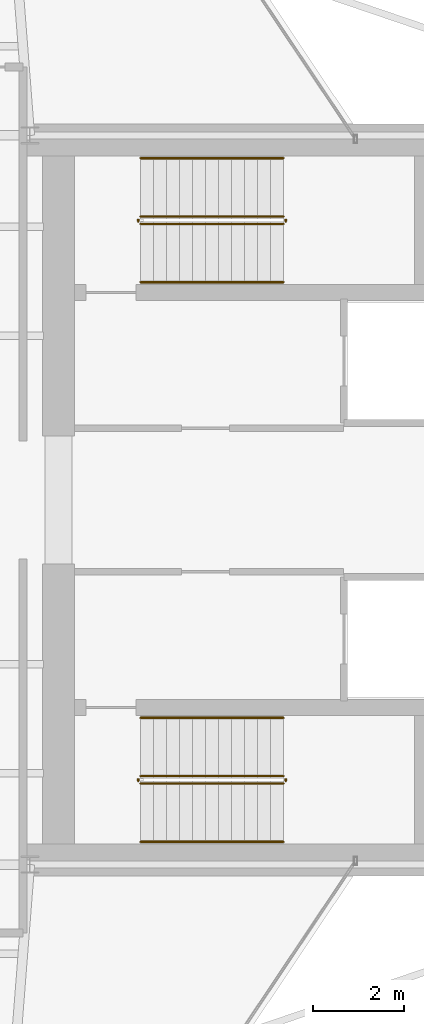
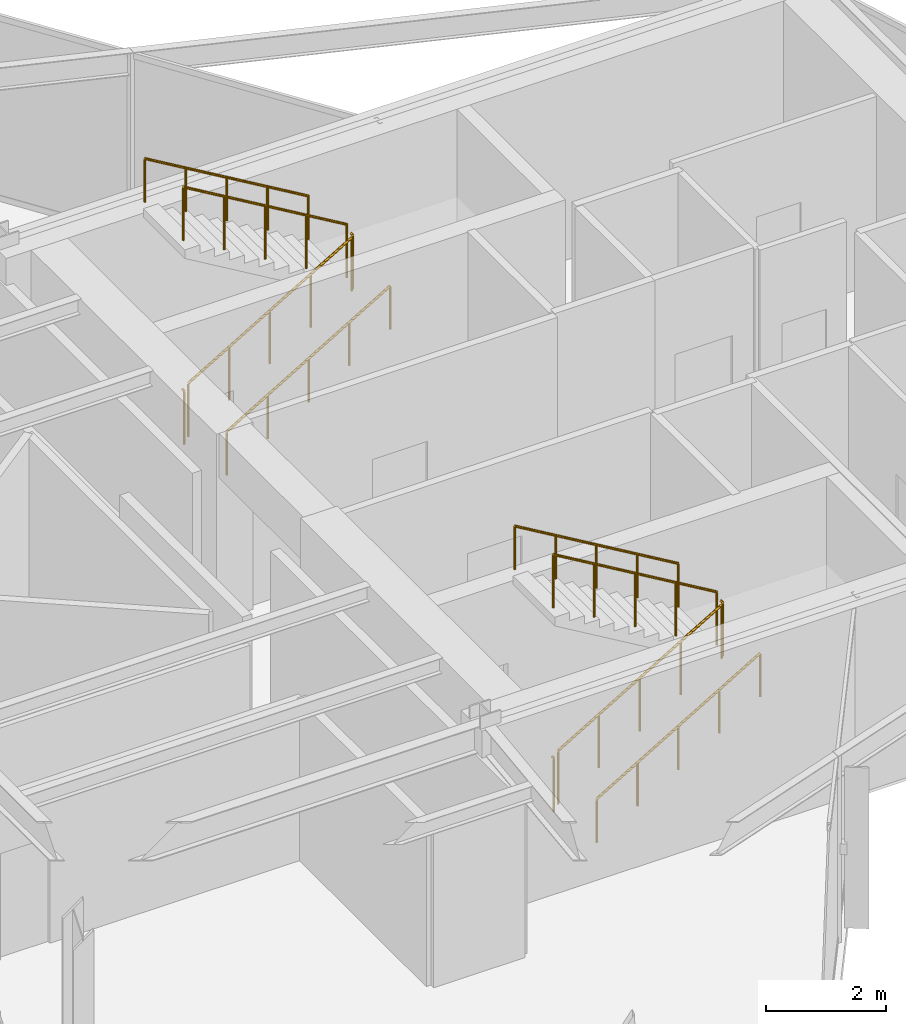
# One storey, part 21 of 21: 12 railings.
"""IFC4 building model written with IfcOpenShell, lengths in metres."""

from ifc_helpers import new_model, si_unit, direction, frame, origin, origin_2d, place, context, subcontext, project, spatial, circle, extrude, material, type_object, element, save


model = new_model("IFC4")

# Units and contexts
model_context = context("Model", 3, precision=1e-05, world=origin(), true_north=direction((0.0, 1.0)))
body_context = subcontext(model_context, "Body", "Model", "MODEL_VIEW")
ifc_project = project(units=[si_unit("LENGTHUNIT", "METRE"), si_unit("AREAUNIT", "SQUARE_METRE"), si_unit("VOLUMEUNIT", "CUBIC_METRE"), si_unit("PLANEANGLEUNIT", "RADIAN"), si_unit("MASSUNIT", "GRAM", prefix="KILO")], contexts=[model_context])

# Site, building, storey
site_placement = place(None, origin())
site = spatial("IfcSite", under=ifc_project, at=site_placement, CompositionType="ELEMENT")
building_placement = place(site_placement, origin())
building = spatial("IfcBuilding", under=site, at=building_placement, Name="Veymaron Broadcast Tower", CompositionType="ELEMENT")
storey_placement = place(building_placement, frame((0.0, 0.0, 212.10009765625)))
storey = spatial("IfcBuildingStorey", under=building, at=storey_placement, Name="L49", CompositionType="ELEMENT", Elevation=212.10009765625)

# Railings
ifc_material_1 = material(Name="Brushed stainless steel AISI 304", Category="steel")
railing_type_1 = type_object("IfcRailingType", Name="RAIL-STAIR-HR", PredefinedType="HANDRAIL", material=ifc_material_1)
railing_1_placement = place(storey_placement, frame((41.429931640625, 28.780029296875, 0.168701171875)))
element("IfcRailing", 1, at=railing_1_placement, inside=storey, type_object=railing_type_1, Name="L49 ST1 stair handrail 1", PredefinedType="HANDRAIL", context=body_context, shape_type="SweptSolid", body=[
    extrude(circle(Radius=0.02392578125, at=origin_2d()), frame((0.0, 0.0, 0.8759765625), z_axis=(0.860481960309, 0.0, 0.509480908359), x_axis=(0.0, 1.0, 0.0)), (0.0, 0.0, 1.0), 3.643310546875),
    extrude(circle(Radius=0.02099609375, at=origin_2d()), origin(), (0.0, 0.0, 1.0), 0.851806640625),
    extrude(circle(Radius=0.02099609375, at=origin_2d()), frame((0.78369140625, 0.0, 0.464111328125)), (0.0, 0.0, 1.0), 0.851806640625),
    extrude(circle(Radius=0.02099609375, at=origin_2d()), frame((1.5673828125, 0.0, 0.92822265625)), (0.0, 0.0, 1.0), 0.851806640625),
    extrude(circle(Radius=0.02099609375, at=origin_2d()), frame((2.351318359375, 0.0, 1.39208984375)), (0.0, 0.0, 1.0), 0.851806640625),
    extrude(circle(Radius=0.02099609375, at=origin_2d()), frame((3.135009765625, 0.0, 1.856201171875)), (0.0, 0.0, 1.0), 0.851806640625),
])
railing_2_placement = place(storey_placement, frame((44.56494140625, 31.5, 2.193603515625)))
element("IfcRailing", 2, at=railing_2_placement, inside=storey, type_object=railing_type_1, Name="L49 ST1 stair handrail 2", PredefinedType="HANDRAIL", context=body_context, shape_type="SweptSolid", body=[
    extrude(circle(Radius=0.02392578125, at=origin_2d()), frame((0.0, 0.0, 0.8759765625), z_axis=(-0.860481960309, 0.0, 0.509480908359), x_axis=(0.0, -1.0, 0.0)), (0.0, 0.0, 1.0), 3.643310546875),
    extrude(circle(Radius=0.02099609375, at=origin_2d()), origin(), (0.0, 0.0, 1.0), 0.851806640625),
    extrude(circle(Radius=0.02099609375, at=origin_2d()), frame((-0.78369140625, 0.0, 0.464111328125)), (0.0, 0.0, 1.0), 0.851806640625),
    extrude(circle(Radius=0.02099609375, at=origin_2d()), frame((-1.5673828125, 0.0, 0.92822265625)), (0.0, 0.0, 1.0), 0.851806640625),
    extrude(circle(Radius=0.02099609375, at=origin_2d()), frame((-2.351318359375, 0.0, 1.39208984375)), (0.0, 0.0, 1.0), 0.851806640625),
    extrude(circle(Radius=0.02099609375, at=origin_2d()), frame((-3.135009765625, 0.0, 1.856201171875)), (0.0, 0.0, 1.0), 0.851806640625),
])
railing_3_placement = place(storey_placement, frame((41.429931640625, 16.5, 0.168701171875)))
element("IfcRailing", 3, at=railing_3_placement, inside=storey, type_object=railing_type_1, Name="L49 ST2 stair handrail 1", PredefinedType="HANDRAIL", context=body_context, shape_type="SweptSolid", body=[
    extrude(circle(Radius=0.02392578125, at=origin_2d()), frame((0.0, 0.0, 0.8759765625), z_axis=(0.860481960309, 0.0, 0.509480908359), x_axis=(0.0, 1.0, 0.0)), (0.0, 0.0, 1.0), 3.643310546875),
    extrude(circle(Radius=0.02099609375, at=origin_2d()), origin(), (0.0, 0.0, 1.0), 0.851806640625),
    extrude(circle(Radius=0.02099609375, at=origin_2d()), frame((0.78369140625, 0.0, 0.464111328125)), (0.0, 0.0, 1.0), 0.851806640625),
    extrude(circle(Radius=0.02099609375, at=origin_2d()), frame((1.5673828125, 0.0, 0.92822265625)), (0.0, 0.0, 1.0), 0.851806640625),
    extrude(circle(Radius=0.02099609375, at=origin_2d()), frame((2.351318359375, 0.0, 1.39208984375)), (0.0, 0.0, 1.0), 0.851806640625),
    extrude(circle(Radius=0.02099609375, at=origin_2d()), frame((3.135009765625, 0.0, 1.856201171875)), (0.0, 0.0, 1.0), 0.851806640625),
])
railing_4_placement = place(storey_placement, frame((44.56494140625, 19.219970703125, 2.193603515625)))
element("IfcRailing", 4, at=railing_4_placement, inside=storey, type_object=railing_type_1, Name="L49 ST2 stair handrail 2", PredefinedType="HANDRAIL", context=body_context, shape_type="SweptSolid", body=[
    extrude(circle(Radius=0.02392578125, at=origin_2d()), frame((0.0, 0.0, 0.8759765625), z_axis=(-0.860481960309, 0.0, 0.509480908359), x_axis=(0.0, -1.0, 0.0)), (0.0, 0.0, 1.0), 3.643310546875),
    extrude(circle(Radius=0.02099609375, at=origin_2d()), origin(), (0.0, 0.0, 1.0), 0.851806640625),
    extrude(circle(Radius=0.02099609375, at=origin_2d()), frame((-0.78369140625, 0.0, 0.464111328125)), (0.0, 0.0, 1.0), 0.851806640625),
    extrude(circle(Radius=0.02099609375, at=origin_2d()), frame((-1.5673828125, 0.0, 0.92822265625)), (0.0, 0.0, 1.0), 0.851806640625),
    extrude(circle(Radius=0.02099609375, at=origin_2d()), frame((-2.351318359375, 0.0, 1.39208984375)), (0.0, 0.0, 1.0), 0.851806640625),
    extrude(circle(Radius=0.02099609375, at=origin_2d()), frame((-3.135009765625, 0.0, 1.856201171875)), (0.0, 0.0, 1.0), 0.851806640625),
])
ifc_material_2 = material(Name="Painted galvanized steel balustrade", Category="steel")
railing_type_2 = type_object("IfcRailingType", Name="RAIL-WELL-GRD", PredefinedType="GUARDRAIL", material=ifc_material_2)
railing_5_placement = place(storey_placement, frame((41.429931640625, 30.06005859375, 0.168701171875)))
element("IfcRailing", 5, at=railing_5_placement, inside=storey, type_object=railing_type_2, Name="L49 ST1 stair guard 1", PredefinedType="GUARDRAIL", context=body_context, shape_type="SweptSolid", body=[
    extrude(circle(Radius=0.02392578125, at=origin_2d()), frame((0.0, 0.0, 1.076171875), z_axis=(0.860481960309, 0.0, 0.509480908359), x_axis=(0.0, 1.0, 0.0)), (0.0, 0.0, 1.0), 3.643310546875),
    extrude(circle(Radius=0.02099609375, at=origin_2d()), origin(), (0.0, 0.0, 1.0), 1.052001953125),
    extrude(circle(Radius=0.02099609375, at=origin_2d()), frame((0.78369140625, 0.0, 0.464111328125)), (0.0, 0.0, 1.0), 1.052001953125),
    extrude(circle(Radius=0.02099609375, at=origin_2d()), frame((1.5673828125, 0.0, 0.92822265625)), (0.0, 0.0, 1.0), 1.052001953125),
    extrude(circle(Radius=0.02099609375, at=origin_2d()), frame((2.351318359375, 0.0, 1.39208984375)), (0.0, 0.0, 1.0), 1.052001953125),
    extrude(circle(Radius=0.02099609375, at=origin_2d()), frame((3.135009765625, 0.0, 1.856201171875)), (0.0, 0.0, 1.0), 1.052001953125),
])
railing_6_placement = place(storey_placement, frame((44.614990234375, 30.110107421875, 2.02490234375)))
element("IfcRailing", 6, at=railing_6_placement, inside=storey, type_object=railing_type_2, Name="L49 ST1 stair guard 2", PredefinedType="GUARDRAIL", context=body_context, shape_type="SweptSolid", body=[
    extrude(circle(Radius=0.02392578125, at=origin_2d()), frame((0.0, 0.0, 1.076171875), z_axis=(0.0, 1.0, 0.0), x_axis=(-1.0, 0.0, 0.0)), (0.0, 0.0, 1.0), 0.059814453125),
    extrude(circle(Radius=0.02099609375, at=origin_2d()), origin(), (0.0, 0.0, 1.0), 1.052001953125),
])
railing_7_placement = place(storey_placement, frame((44.56494140625, 30.219970703125, 2.193603515625)))
element("IfcRailing", 7, at=railing_7_placement, inside=storey, type_object=railing_type_2, Name="L49 ST1 stair guard 3", PredefinedType="GUARDRAIL", context=body_context, shape_type="SweptSolid", body=[
    extrude(circle(Radius=0.02392578125, at=origin_2d()), frame((0.0, 0.0, 1.076171875), z_axis=(-0.860481960309, 0.0, 0.509480908359), x_axis=(0.0, -1.0, 0.0)), (0.0, 0.0, 1.0), 3.643310546875),
    extrude(circle(Radius=0.02099609375, at=origin_2d()), origin(), (0.0, 0.0, 1.0), 1.052001953125),
    extrude(circle(Radius=0.02099609375, at=origin_2d()), frame((-0.78369140625, 0.0, 0.464111328125)), (0.0, 0.0, 1.0), 1.052001953125),
    extrude(circle(Radius=0.02099609375, at=origin_2d()), frame((-1.5673828125, 0.0, 0.92822265625)), (0.0, 0.0, 1.0), 1.052001953125),
    extrude(circle(Radius=0.02099609375, at=origin_2d()), frame((-2.351318359375, 0.0, 1.39208984375)), (0.0, 0.0, 1.0), 1.052001953125),
    extrude(circle(Radius=0.02099609375, at=origin_2d()), frame((-3.135009765625, 0.0, 1.856201171875)), (0.0, 0.0, 1.0), 1.052001953125),
])
railing_8_placement = place(storey_placement, frame((41.3798828125, 30.110107421875, 0.0)))
element("IfcRailing", 8, at=railing_8_placement, inside=storey, type_object=railing_type_2, Name="L49 ST1 stair guard 4", PredefinedType="GUARDRAIL", context=body_context, shape_type="SweptSolid", body=[
    extrude(circle(Radius=0.02392578125, at=origin_2d()), frame((0.0, 0.0, 1.076171875), z_axis=(0.0, 1.0, 0.0), x_axis=(-1.0, 0.0, 0.0)), (0.0, 0.0, 1.0), 0.059814453125),
    extrude(circle(Radius=0.02099609375, at=origin_2d()), origin(), (0.0, 0.0, 1.0), 1.052001953125),
])
railing_9_placement = place(storey_placement, frame((41.429931640625, 17.780029296875, 0.168701171875)))
element("IfcRailing", 9, at=railing_9_placement, inside=storey, type_object=railing_type_2, Name="L49 ST2 stair guard 1", PredefinedType="GUARDRAIL", context=body_context, shape_type="SweptSolid", body=[
    extrude(circle(Radius=0.02392578125, at=origin_2d()), frame((0.0, 0.0, 1.076171875), z_axis=(0.860481960309, 0.0, 0.509480908359), x_axis=(0.0, 1.0, 0.0)), (0.0, 0.0, 1.0), 3.643310546875),
    extrude(circle(Radius=0.02099609375, at=origin_2d()), origin(), (0.0, 0.0, 1.0), 1.052001953125),
    extrude(circle(Radius=0.02099609375, at=origin_2d()), frame((0.78369140625, 0.0, 0.464111328125)), (0.0, 0.0, 1.0), 1.052001953125),
    extrude(circle(Radius=0.02099609375, at=origin_2d()), frame((1.5673828125, 0.0, 0.92822265625)), (0.0, 0.0, 1.0), 1.052001953125),
    extrude(circle(Radius=0.02099609375, at=origin_2d()), frame((2.351318359375, 0.0, 1.39208984375)), (0.0, 0.0, 1.0), 1.052001953125),
    extrude(circle(Radius=0.02099609375, at=origin_2d()), frame((3.135009765625, 0.0, 1.856201171875)), (0.0, 0.0, 1.0), 1.052001953125),
])
railing_10_placement = place(storey_placement, frame((44.614990234375, 17.830078125, 2.02490234375)))
element("IfcRailing", 10, at=railing_10_placement, inside=storey, type_object=railing_type_2, Name="L49 ST2 stair guard 2", PredefinedType="GUARDRAIL", context=body_context, shape_type="SweptSolid", body=[
    extrude(circle(Radius=0.02392578125, at=origin_2d()), frame((0.0, 0.0, 1.076171875), z_axis=(0.0, 1.0, 0.0), x_axis=(-1.0, 0.0, 0.0)), (0.0, 0.0, 1.0), 0.059814453125),
    extrude(circle(Radius=0.02099609375, at=origin_2d()), origin(), (0.0, 0.0, 1.0), 1.052001953125),
])
railing_11_placement = place(storey_placement, frame((44.56494140625, 17.93994140625, 2.193603515625)))
element("IfcRailing", 11, at=railing_11_placement, inside=storey, type_object=railing_type_2, Name="L49 ST2 stair guard 3", PredefinedType="GUARDRAIL", context=body_context, shape_type="SweptSolid", body=[
    extrude(circle(Radius=0.02392578125, at=origin_2d()), frame((0.0, 0.0, 1.076171875), z_axis=(-0.860481960309, 0.0, 0.509480908359), x_axis=(0.0, -1.0, 0.0)), (0.0, 0.0, 1.0), 3.643310546875),
    extrude(circle(Radius=0.02099609375, at=origin_2d()), origin(), (0.0, 0.0, 1.0), 1.052001953125),
    extrude(circle(Radius=0.02099609375, at=origin_2d()), frame((-0.78369140625, 0.0, 0.464111328125)), (0.0, 0.0, 1.0), 1.052001953125),
    extrude(circle(Radius=0.02099609375, at=origin_2d()), frame((-1.5673828125, 0.0, 0.92822265625)), (0.0, 0.0, 1.0), 1.052001953125),
    extrude(circle(Radius=0.02099609375, at=origin_2d()), frame((-2.351318359375, 0.0, 1.39208984375)), (0.0, 0.0, 1.0), 1.052001953125),
    extrude(circle(Radius=0.02099609375, at=origin_2d()), frame((-3.135009765625, 0.0, 1.856201171875)), (0.0, 0.0, 1.0), 1.052001953125),
])
railing_12_placement = place(storey_placement, frame((41.3798828125, 17.830078125, 0.0)))
element("IfcRailing", 12, at=railing_12_placement, inside=storey, type_object=railing_type_2, Name="L49 ST2 stair guard 4", PredefinedType="GUARDRAIL", context=body_context, shape_type="SweptSolid", body=[
    extrude(circle(Radius=0.02392578125, at=origin_2d()), frame((0.0, 0.0, 1.076171875), z_axis=(0.0, 1.0, 0.0), x_axis=(-1.0, 0.0, 0.0)), (0.0, 0.0, 1.0), 0.059814453125),
    extrude(circle(Radius=0.02099609375, at=origin_2d()), origin(), (0.0, 0.0, 1.0), 1.052001953125),
])

save(model, "model.ifc")
